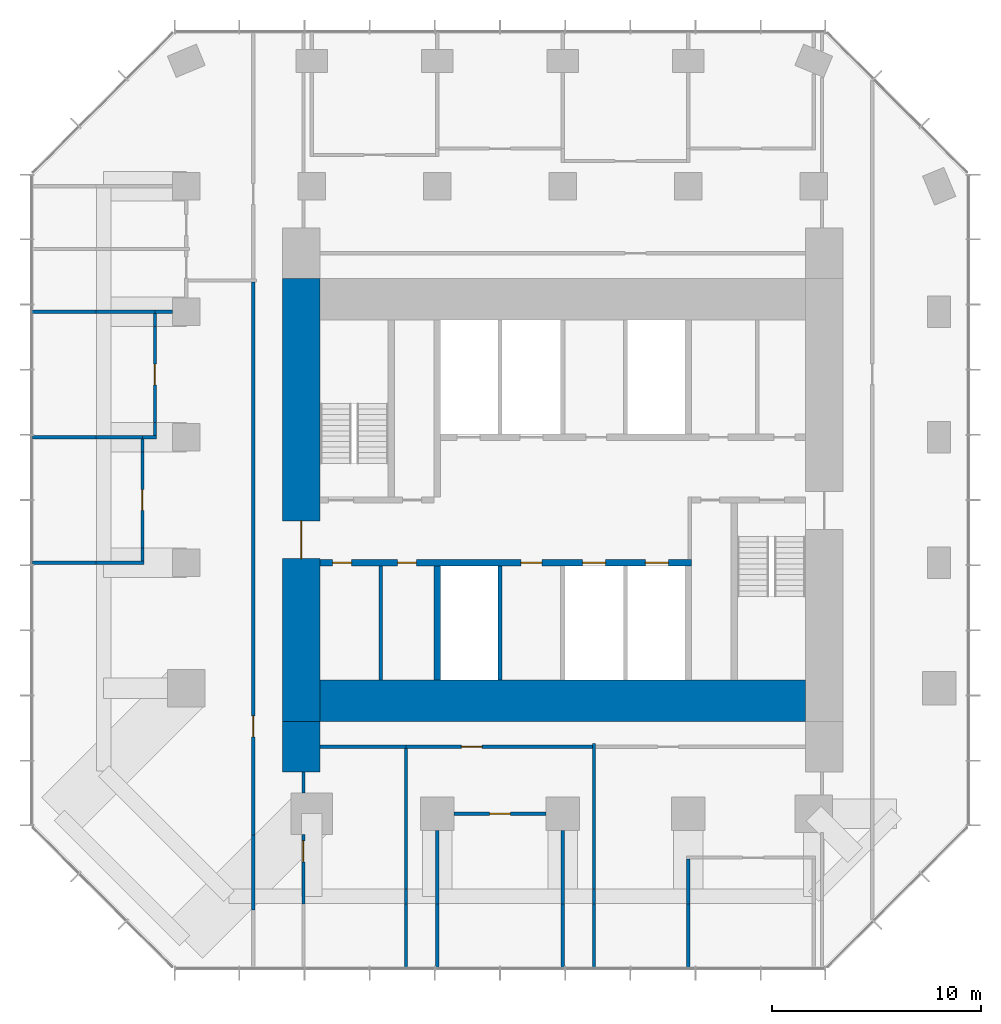
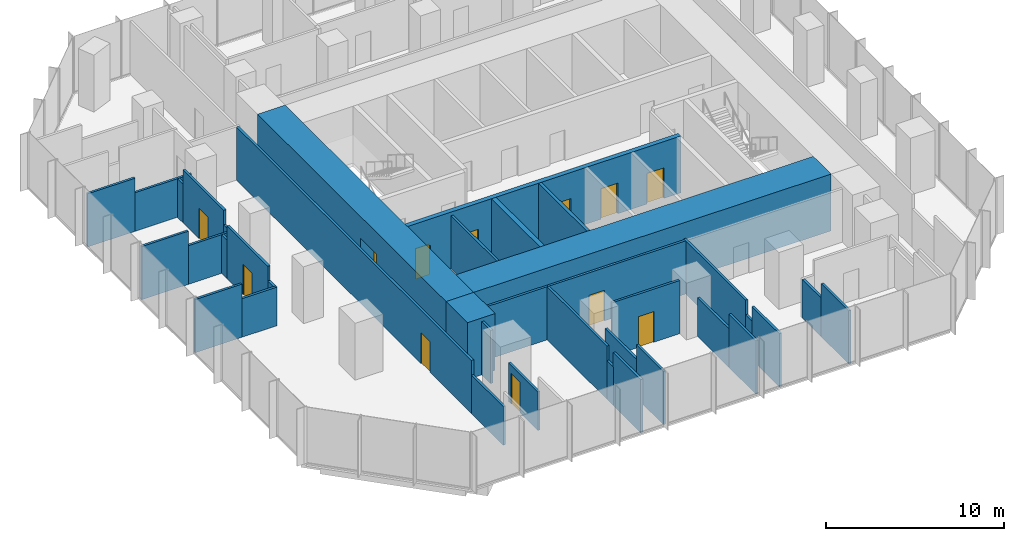
# One storey, part 8 of 11: 40 walls, 12 doors, 12 openings.
"""IFC4 building model written with IfcOpenShell, lengths in metres."""

from ifc_helpers import new_model, si_unit, direction, frame, frame_2d, origin, place, context, subcontext, project, spatial, rectangle, extrude, material, layer, layer_set, type_object, element, fill, save


model = new_model("IFC4")

# Units and contexts
model_context = context("Model", 3, precision=1e-05, world=origin(), true_north=direction((0.0, 1.0)))
body_context = subcontext(model_context, "Body", "Model", "MODEL_VIEW")
ifc_project = project(units=[si_unit("LENGTHUNIT", "METRE"), si_unit("AREAUNIT", "SQUARE_METRE"), si_unit("VOLUMEUNIT", "CUBIC_METRE"), si_unit("PLANEANGLEUNIT", "RADIAN"), si_unit("MASSUNIT", "GRAM", prefix="KILO")], contexts=[model_context])

# Site, building, storey
site_placement = place(None, origin())
site = spatial("IfcSite", under=ifc_project, at=site_placement, CompositionType="ELEMENT")
building_placement = place(site_placement, origin())
building = spatial("IfcBuilding", under=site, at=building_placement, Name="Highveld Stack Headquarters", CompositionType="ELEMENT")
storey_placement = place(building_placement, frame((0.0, 0.0, 216.199951171875)))
storey = spatial("IfcBuildingStorey", under=building, at=storey_placement, Name="L53", CompositionType="ELEMENT", Elevation=216.199951171875)

# Wall, opening, door
ifc_material_1 = material(Name="Concrete C60/75", Category="concrete")
ifc_layer_1 = layer(ifc_material_1, 1.800048828125)
ifc_layer_set_1 = layer_set([ifc_layer_1], Name="Concrete C60/75")
wall_type_1 = type_object("IfcWallType", Name="CORE WALL 1800 C60/75", PredefinedType="SHEAR", material=ifc_layer_set_1)
wall_1_placement = place(storey_placement, frame((-6.5, -7.60009765625, 0.0), z_axis=(0.0, 0.0, 1.0), x_axis=(0.0, 1.0, 0.0)))
wall_1 = element("IfcWall", 1, at=wall_1_placement, inside=storey, type_object=wall_type_1, Name="Core wall W L53", PredefinedType="SHEAR", context=body_context, shape_type="SweptSolid", body=[
    extrude(rectangle(XDim=21.2001953125, YDim=1.800048828125, at=frame_2d((10.60009765625, 0.0))), origin(), (0.0, 0.0, 1.0), 3.900146484375),
])
opening_1_placement = place(wall_1_placement, frame((7.800048828125, 0.0, 0.0)))
opening_1 = element("IfcOpeningElement", 2, at=opening_1_placement, cuts=wall_1, Name="Opening L53-01", PredefinedType="OPENING", context=body_context, shape_type="SweptSolid", body=[
    extrude(rectangle(XDim=1.800048828125, YDim=2.39990234375, at=frame_2d((0.89990234375, 1.199951171875))), frame((0.0, 0.909912109375, 0.0), z_axis=(0.0, -1.0, 0.0), x_axis=(1.0, 0.0, 0.0)), (0.0, 0.0, 1.0), 1.820068359375),
])
ifc_material_2 = material(Name="Steel fire door", Category="steel")
door_type_1 = type_object("IfcDoorType", Name="LOBBY FIRE DOOR D4 1800x2400", OperationType="DOUBLE_DOOR_SINGLE_SWING", PredefinedType="DOOR", material=ifc_material_2)
door_1_placement = place(opening_1_placement, origin())
door_1 = element("IfcDoor", 3, at=door_1_placement, inside=storey, type_object=door_type_1, Name="Core west door L53", OperationType="DOUBLE_DOOR_SINGLE_SWING", OverallHeight=2.39990234375, OverallWidth=1.800048828125, PredefinedType="DOOR", context=body_context, shape_type="SweptSolid", body=[
    extrude(rectangle(XDim=1.800048828125, YDim=2.39990234375, at=frame_2d((0.89990234375, 1.199951171875))), frame((0.0, 0.02490234375, 0.0), z_axis=(0.0, -1.0, 0.0), x_axis=(1.0, 0.0, 0.0)), (0.0, 0.0, 1.0), 0.050048828125),
])
fill(opening_1, door_1)

# Wall
ifc_material_3 = material(Name="Concrete C60/75", Category="concrete")
ifc_layer_2 = layer(ifc_material_3, 2.0)
ifc_layer_set_2 = layer_set([ifc_layer_2], Name="Concrete C60/75")
wall_type_2 = type_object("IfcWallType", Name="CORE WALL 2000 C60/75", PredefinedType="SHEAR", material=ifc_layer_set_2)
wall_2_placement = place(storey_placement, frame((-5.60009765625, -6.60009765625, 0.0), z_axis=(0.0, 0.0, 1.0), x_axis=(1.0, 0.0, 0.0)))
element("IfcWall", 4, at=wall_2_placement, inside=storey, type_object=wall_type_2, Name="Core wall S L53", PredefinedType="SHEAR", context=body_context, shape_type="SweptSolid", body=[
    extrude(rectangle(XDim=23.2001953125, YDim=2.0, at=frame_2d((11.60009765625, 0.0))), origin(), (0.0, 0.0, 1.0), 3.900146484375),
])

# Wall, openings, doors
ifc_material_4 = material(Name="Concrete C60/75", Category="concrete")
ifc_layer_3 = layer(ifc_material_4, 0.300048828125)
ifc_layer_set_3 = layer_set([ifc_layer_3], Name="Concrete C60/75")
wall_type_3 = type_object("IfcWallType", Name="CORE WALL 300 C60/75", PredefinedType="SHEAR", material=ifc_layer_set_3)
wall_3_placement = place(storey_placement, frame((-5.60009765625, 0.0, 0.0), z_axis=(0.0, 0.0, 1.0), x_axis=(1.0, 0.0, 0.0)))
wall_3 = element("IfcWall", 5, at=wall_3_placement, inside=storey, type_object=wall_type_3, Name="Core wall I-Y0 L53", PredefinedType="SHEAR", context=body_context, shape_type="SweptSolid", body=[
    extrude(rectangle(XDim=17.75, YDim=0.300048828125, at=frame_2d((8.875, 0.0))), origin(), (0.0, 0.0, 1.0), 3.900146484375),
])
opening_2_placement = place(wall_3_placement, frame((0.60009765625, 0.0, 0.0)))
opening_2 = element("IfcOpeningElement", 6, at=opening_2_placement, cuts=wall_3, Name="Opening L53-07", PredefinedType="OPENING", context=body_context, shape_type="SweptSolid", body=[
    extrude(rectangle(XDim=0.89990234375, YDim=2.10009765625, at=frame_2d((0.449951171875, 1.050048828125))), frame((0.0, 0.159912109375, 0.0), z_axis=(0.0, -1.0, 0.0), x_axis=(1.0, 0.0, 0.0)), (0.0, 0.0, 1.0), 0.320068359375),
])
opening_3_placement = place(wall_3_placement, frame((3.699951171875, 0.0, 0.0)))
opening_3 = element("IfcOpeningElement", 7, at=opening_3_placement, cuts=wall_3, Name="Opening L53-08", PredefinedType="OPENING", context=body_context, shape_type="SweptSolid", body=[
    extrude(rectangle(XDim=0.89990234375, YDim=2.10009765625, at=frame_2d((0.449951171875, 1.050048828125))), frame((0.0, 0.159912109375, 0.0), z_axis=(0.0, -1.0, 0.0), x_axis=(1.0, 0.0, 0.0)), (0.0, 0.0, 1.0), 0.320068359375),
])
opening_4_placement = place(wall_3_placement, frame((9.60009765625, 0.0, 0.0)))
opening_4 = element("IfcOpeningElement", 8, at=opening_4_placement, cuts=wall_3, Name="Opening L53-12", PredefinedType="OPENING", context=body_context, shape_type="SweptSolid", body=[
    extrude(rectangle(XDim=1.0, YDim=2.10009765625, at=frame_2d((0.5, 1.050048828125))), frame((0.0, 0.159912109375, 0.0), z_axis=(0.0, -1.0, 0.0), x_axis=(1.0, 0.0, 0.0)), (0.0, 0.0, 1.0), 0.320068359375),
])
opening_5_placement = place(wall_3_placement, frame((12.550048828125, 0.0, 0.0)))
opening_5 = element("IfcOpeningElement", 9, at=opening_5_placement, cuts=wall_3, Name="Opening LD", PredefinedType="OPENING", context=body_context, shape_type="SweptSolid", body=[
    extrude(rectangle(XDim=1.10009765625, YDim=2.10009765625, at=frame_2d((0.550048828125, 1.050048828125))), frame((0.0, 0.159912109375, 0.0), z_axis=(0.0, -1.0, 0.0), x_axis=(1.0, 0.0, 0.0)), (0.0, 0.0, 1.0), 0.320068359375),
])
opening_6_placement = place(wall_3_placement, frame((15.550048828125, 0.0, 0.0)))
opening_6 = element("IfcOpeningElement", 10, at=opening_6_placement, cuts=wall_3, Name="Opening LD", PredefinedType="OPENING", context=body_context, shape_type="SweptSolid", body=[
    extrude(rectangle(XDim=1.10009765625, YDim=2.10009765625, at=frame_2d((0.550048828125, 1.050048828125))), frame((0.0, 0.159912109375, 0.0), z_axis=(0.0, -1.0, 0.0), x_axis=(1.0, 0.0, 0.0)), (0.0, 0.0, 1.0), 0.320068359375),
])
ifc_material_5 = material(Name="Steel fire door", Category="steel")
door_type_2 = type_object("IfcDoorType", Name="CORE ROOM FIRE DOOR D14 1000x2100", OperationType="SINGLE_SWING_LEFT", PredefinedType="DOOR", material=ifc_material_5)
door_2_placement = place(opening_4_placement, origin())
door_2 = element("IfcDoor", 11, at=door_2_placement, inside=storey, type_object=door_type_2, Name="Capped B 1 door L53", OperationType="SINGLE_SWING_RIGHT", OverallHeight=2.10009765625, OverallWidth=1.0, PredefinedType="DOOR", context=body_context, shape_type="SweptSolid", body=[
    extrude(rectangle(XDim=1.0, YDim=2.10009765625, at=frame_2d((0.5, 1.050048828125))), frame((0.0, 0.02490234375, 0.0), z_axis=(0.0, -1.0, 0.0), x_axis=(1.0, 0.0, 0.0)), (0.0, 0.0, 1.0), 0.050048828125),
])
fill(opening_4, door_2)
ifc_material_6 = material(Name="Stainless steel lift landing door", Category="steel")
door_type_3 = type_object("IfcDoorType", Name="LIFT LANDING DOOR LD 1100x2100", OperationType="DOUBLE_DOOR_SLIDING", PredefinedType="USERDEFINED", material=ifc_material_6)
door_3_placement = place(opening_5_placement, origin())
door_3 = element("IfcDoor", 12, at=door_3_placement, inside=storey, type_object=door_type_3, Name="Lift landing door C1 L53", ObjectType="LIFT LANDING DOOR", OperationType="DOUBLE_DOOR_SLIDING", OverallHeight=2.10009765625, OverallWidth=1.10009765625, PredefinedType="USERDEFINED", context=body_context, shape_type="SweptSolid", body=[
    extrude(rectangle(XDim=1.10009765625, YDim=2.10009765625, at=frame_2d((0.550048828125, 1.050048828125))), frame((0.0, 0.02490234375, 0.0), z_axis=(0.0, -1.0, 0.0), x_axis=(1.0, 0.0, 0.0)), (0.0, 0.0, 1.0), 0.050048828125),
])
fill(opening_5, door_3)
door_4_placement = place(opening_6_placement, origin())
door_4 = element("IfcDoor", 13, at=door_4_placement, inside=storey, type_object=door_type_3, Name="Lift landing door C2 L53", ObjectType="LIFT LANDING DOOR", OperationType="DOUBLE_DOOR_SLIDING", OverallHeight=2.10009765625, OverallWidth=1.10009765625, PredefinedType="USERDEFINED", context=body_context, shape_type="SweptSolid", body=[
    extrude(rectangle(XDim=1.10009765625, YDim=2.10009765625, at=frame_2d((0.550048828125, 1.050048828125))), frame((0.0, 0.02490234375, 0.0), z_axis=(0.0, -1.0, 0.0), x_axis=(1.0, 0.0, 0.0)), (0.0, 0.0, 1.0), 0.050048828125),
])
fill(opening_6, door_4)
ifc_material_7 = material(Name="Timber door, painted", Category="wood")
door_type_4 = type_object("IfcDoorType", Name="WC DOOR D1 900x2100", OperationType="SINGLE_SWING_LEFT", PredefinedType="DOOR", material=ifc_material_7)
door_5_placement = place(opening_2_placement, origin())
door_5 = element("IfcDoor", 14, at=door_5_placement, inside=storey, type_object=door_type_4, Name="Female WC door L53", OperationType="SINGLE_SWING_LEFT", OverallHeight=2.10009765625, OverallWidth=0.89990234375, PredefinedType="DOOR", context=body_context, shape_type="SweptSolid", body=[
    extrude(rectangle(XDim=0.89990234375, YDim=2.10009765625, at=frame_2d((0.449951171875, 1.050048828125))), frame((0.0, 0.02490234375, 0.0), z_axis=(0.0, -1.0, 0.0), x_axis=(1.0, 0.0, 0.0)), (0.0, 0.0, 1.0), 0.050048828125),
])
fill(opening_2, door_5)
door_6_placement = place(opening_3_placement, origin())
door_6 = element("IfcDoor", 15, at=door_6_placement, inside=storey, type_object=door_type_4, Name="Shower and changing room door L53", OperationType="SINGLE_SWING_LEFT", OverallHeight=2.10009765625, OverallWidth=0.89990234375, PredefinedType="DOOR", context=body_context, shape_type="SweptSolid", body=[
    extrude(rectangle(XDim=0.89990234375, YDim=2.10009765625, at=frame_2d((0.449951171875, 1.050048828125))), frame((0.0, 0.02490234375, 0.0), z_axis=(0.0, -1.0, 0.0), x_axis=(1.0, 0.0, 0.0)), (0.0, 0.0, 1.0), 0.050048828125),
])
fill(opening_3, door_6)

# Walls
wall_4_placement = place(storey_placement, frame((0.0, -5.60009765625, 0.0), z_axis=(0.0, 0.0, 1.0), x_axis=(0.0, 1.0, 0.0)))
element("IfcWall", 16, at=wall_4_placement, inside=storey, type_object=wall_type_3, Name="Core wall I-X0S L53", PredefinedType="SHEAR", context=body_context, shape_type="SweptSolid", body=[
    extrude(rectangle(XDim=5.4501953125, YDim=0.300048828125, at=frame_2d((2.72509765625, 0.0))), origin(), (0.0, 0.0, 1.0), 3.900146484375),
])
ifc_material_8 = material(Name="Concrete C60/75", Category="concrete")
ifc_layer_4 = layer(ifc_material_8, 1.800048828125)
ifc_layer_set_4 = layer_set([ifc_layer_4], Name="Concrete C60/75")
wall_type_4 = type_object("IfcWallType", Name="CORE WING WALL 1800 C60/75", PredefinedType="SHEAR", material=ifc_layer_set_4)
wall_5_placement = place(storey_placement, frame((-6.5, -10.0, 0.0), z_axis=(0.0, 0.0, 1.0), x_axis=(0.0, 1.0, 0.0)))
element("IfcWall", 17, at=wall_5_placement, inside=storey, type_object=wall_type_4, Name="Core wing wall WS L53", PredefinedType="SHEAR", context=body_context, shape_type="SweptSolid", body=[
    extrude(rectangle(XDim=2.39990234375, YDim=1.800048828125, at=frame_2d((1.199951171875, 0.0))), origin(), (0.0, 0.0, 1.0), 3.900146484375),
])
ifc_material_9 = material(Name="Concrete blockwork, fair-faced", Category="masonry")
ifc_layer_5 = layer(ifc_material_9, 0.199951171875)
ifc_layer_set_5 = layer_set([ifc_layer_5], Name="Concrete blockwork, fair-faced")
wall_type_5 = type_object("IfcWallType", Name="LIFT SHAFT ENCLOSURE WALL 200 BLOCKWORK", PredefinedType="SOLIDWALL", material=ifc_layer_set_5)
wall_6_placement = place(storey_placement, frame((3.0, -5.60009765625, 0.0), z_axis=(0.0, 0.0, 1.0), x_axis=(0.0, 1.0, 0.0)))
element("IfcWall", 18, at=wall_6_placement, inside=storey, type_object=wall_type_5, Name="Lift shaft wall L53", PredefinedType="SOLIDWALL", context=body_context, shape_type="SweptSolid", body=[
    extrude(rectangle(XDim=5.4501953125, YDim=0.199951171875, at=frame_2d((2.72509765625, 0.0))), origin(), (0.0, 0.0, 1.0), 3.900146484375),
])

# Wall, opening, door
ifc_material_10 = material(Name="Gypsum plasterboard on steel studs", Category="steel")
ifc_layer_6 = layer(ifc_material_10, 0.14990234375)
ifc_layer_set_6 = layer_set([ifc_layer_6], Name="Gypsum plasterboard on steel studs")
wall_type_6 = type_object("IfcWallType", Name="PARTITION 150 PLASTERBOARD", PredefinedType="PARTITIONING", material=ifc_layer_set_6)
wall_7_placement = place(storey_placement, frame((0.800048828125, -12.0, 0.0), z_axis=(0.0, 0.0, 1.0), x_axis=(1.0, 0.0, 0.0)))
wall_7 = element("IfcWall", 19, at=wall_7_placement, inside=storey, type_object=wall_type_6, Name="Partition Office L53", PredefinedType="PARTITIONING", context=body_context, shape_type="SweptSolid", body=[
    extrude(rectangle(XDim=4.39990234375, YDim=0.14990234375, at=frame_2d((2.199951171875, 0.0))), origin(), (0.0, 0.0, 1.0), 3.650146484375),
])
opening_7_placement = place(wall_7_placement, frame((1.699951171875, 0.0, 0.0)))
opening_7 = element("IfcOpeningElement", 20, at=opening_7_placement, cuts=wall_7, Name="Opening L53-13", PredefinedType="OPENING", context=body_context, shape_type="SweptSolid", body=[
    extrude(rectangle(XDim=1.0, YDim=2.10009765625, at=frame_2d((0.5, 1.050048828125))), frame((0.0, 0.0849609375, 0.0), z_axis=(0.0, -1.0, 0.0), x_axis=(1.0, 0.0, 0.0)), (0.0, 0.0, 1.0), 0.169921875),
])
ifc_material_11 = material(Name="Timber door, oiled ash", Category="wood")
door_type_5 = type_object("IfcDoorType", Name="ROOM DOOR D6 1000x2100", OperationType="SINGLE_SWING_LEFT", PredefinedType="DOOR", material=ifc_material_11)
door_7_placement = place(opening_7_placement, origin())
door_7 = element("IfcDoor", 21, at=door_7_placement, inside=storey, type_object=door_type_5, Name="Office door 1 L53", OperationType="SINGLE_SWING_LEFT", OverallHeight=2.10009765625, OverallWidth=1.0, PredefinedType="DOOR", context=body_context, shape_type="SweptSolid", body=[
    extrude(rectangle(XDim=1.0, YDim=2.10009765625, at=frame_2d((0.5, 1.050048828125))), frame((0.0, 0.02490234375, 0.0), z_axis=(0.0, -1.0, 0.0), x_axis=(1.0, 0.0, 0.0)), (0.0, 0.0, 1.0), 0.050048828125),
])
fill(opening_7, door_7)

# Walls
wall_8_placement = place(storey_placement, frame((-19.35009765625, 0.0, 0.0), z_axis=(0.0, 0.0, 1.0), x_axis=(1.0, 0.0, 0.0)))
element("IfcWall", 22, at=wall_8_placement, inside=storey, type_object=wall_type_6, Name="Partition Focus room L53", PredefinedType="PARTITIONING", context=body_context, shape_type="SweptSolid", body=[
    extrude(rectangle(XDim=3.0400390625, YDim=0.14990234375, at=frame_2d((1.52001953125, 0.0))), origin(), (0.0, 0.0, 1.0), 3.650146484375),
])
wall_9_placement = place(storey_placement, frame((-16.31005859375, 0.0, 0.0), z_axis=(0.0, 0.0, 1.0), x_axis=(1.0, 0.0, 0.0)))
element("IfcWall", 23, at=wall_9_placement, inside=storey, type_object=wall_type_6, Name="Partition Focus room L53", PredefinedType="PARTITIONING", context=body_context, shape_type="SweptSolid", body=[
    extrude(rectangle(XDim=2.28515625, YDim=0.14990234375, at=frame_2d((1.142578125, 0.0))), origin(), (0.0, 0.0, 1.0), 2.650146484375),
])
wall_10_placement = place(storey_placement, frame((-19.35009765625, 6.0, 0.0), z_axis=(0.0, 0.0, 1.0), x_axis=(1.0, 0.0, 0.0)))
element("IfcWall", 24, at=wall_10_placement, inside=storey, type_object=wall_type_6, Name="Partition Focus room / Quiet room L53", PredefinedType="PARTITIONING", context=body_context, shape_type="SweptSolid", body=[
    extrude(rectangle(XDim=3.0400390625, YDim=0.14990234375, at=frame_2d((1.52001953125, 0.0))), origin(), (0.0, 0.0, 1.0), 3.650146484375),
])
wall_11_placement = place(storey_placement, frame((-16.31005859375, 6.0, 0.0), z_axis=(0.0, 0.0, 1.0), x_axis=(1.0, 0.0, 0.0)))
element("IfcWall", 25, at=wall_11_placement, inside=storey, type_object=wall_type_6, Name="Partition Focus room / Quiet room L53", PredefinedType="PARTITIONING", context=body_context, shape_type="SweptSolid", body=[
    extrude(rectangle(XDim=2.28515625, YDim=0.14990234375, at=frame_2d((1.142578125, 0.0))), origin(), (0.0, 0.0, 1.0), 2.650146484375),
])
wall_12_placement = place(storey_placement, frame((-14.10009765625, 6.0, 0.0), z_axis=(0.0, 0.0, 1.0), x_axis=(1.0, 0.0, 0.0)))
element("IfcWall", 26, at=wall_12_placement, inside=storey, type_object=wall_type_6, Name="Partition Quiet room L53", PredefinedType="PARTITIONING", context=body_context, shape_type="SweptSolid", body=[
    extrude(rectangle(XDim=0.675048828125, YDim=0.14990234375, at=frame_2d((0.33740234375, 0.0))), origin(), (0.0, 0.0, 1.0), 2.650146484375),
])
wall_13_placement = place(storey_placement, frame((-19.39990234375, 12.0, 0.0), z_axis=(0.0, 0.0, 1.0), x_axis=(1.0, 0.0, 0.0)))
element("IfcWall", 27, at=wall_13_placement, inside=storey, type_object=wall_type_6, Name="Partition Office / Quiet room L53", PredefinedType="PARTITIONING", context=body_context, shape_type="SweptSolid", body=[
    extrude(rectangle(XDim=3.08984375, YDim=0.14990234375, at=frame_2d((1.544921875, 0.0))), origin(), (0.0, 0.0, 1.0), 3.650146484375),
])
wall_14_placement = place(storey_placement, frame((-16.31005859375, 12.0, 0.0), z_axis=(0.0, 0.0, 1.0), x_axis=(1.0, 0.0, 0.0)))
element("IfcWall", 28, at=wall_14_placement, inside=storey, type_object=wall_type_6, Name="Partition Office / Quiet room L53", PredefinedType="PARTITIONING", context=body_context, shape_type="SweptSolid", body=[
    extrude(rectangle(XDim=2.885009765625, YDim=0.14990234375, at=frame_2d((1.4423828125, 0.0))), origin(), (0.0, 0.0, 1.0), 2.650146484375),
])
wall_15_placement = place(storey_placement, frame((-13.5, 12.0, 0.0), z_axis=(0.0, 0.0, 1.0), x_axis=(1.0, 0.0, 0.0)))
element("IfcWall", 29, at=wall_15_placement, inside=storey, type_object=wall_type_6, Name="Partition Office L53", PredefinedType="PARTITIONING", context=body_context, shape_type="SweptSolid", body=[
    extrude(rectangle(XDim=0.85009765625, YDim=0.14990234375, at=frame_2d((0.425048828125, 0.0))), origin(), (0.0, 0.0, 1.0), 2.650146484375),
])
wall_16_placement = place(storey_placement, frame((-14.10009765625, 0.074951171875, 0.0), z_axis=(0.0, 0.0, 1.0), x_axis=(0.0, 1.0, 0.0)))
element("IfcWall", 30, at=wall_16_placement, inside=storey, type_object=wall_type_6, Name="Partition Focus room L53", PredefinedType="PARTITIONING", context=body_context, shape_type="SweptSolid", body=[
    extrude(rectangle(XDim=0.635009765625, YDim=0.14990234375, at=frame_2d((0.3173828125, 0.0))), origin(), (0.0, 0.0, 1.0), 2.650146484375),
])

# Wall, opening, door
wall_17_placement = place(storey_placement, frame((-14.10009765625, 0.7099609375, 0.0), z_axis=(0.0, 0.0, 1.0), x_axis=(0.0, 1.0, 0.0)))
wall_17 = element("IfcWall", 31, at=wall_17_placement, inside=storey, type_object=wall_type_6, Name="Partition Focus room L53", PredefinedType="PARTITIONING", context=body_context, shape_type="SweptSolid", body=[
    extrude(rectangle(XDim=4.580078125, YDim=0.14990234375, at=frame_2d((2.2900390625, 0.0))), origin(), (0.0, 0.0, 1.0), 3.650146484375),
])
opening_8_placement = place(wall_17_placement, frame((1.7900390625, 0.0, 0.0)))
opening_8 = element("IfcOpeningElement", 32, at=opening_8_placement, cuts=wall_17, Name="Opening L53-15", PredefinedType="OPENING", context=body_context, shape_type="SweptSolid", body=[
    extrude(rectangle(XDim=1.0, YDim=2.10009765625, at=frame_2d((0.5, 1.050048828125))), frame((0.0, 0.0849609375, 0.0), z_axis=(0.0, -1.0, 0.0), x_axis=(1.0, 0.0, 0.0)), (0.0, 0.0, 1.0), 0.169921875),
])
door_8_placement = place(opening_8_placement, origin())
door_8 = element("IfcDoor", 33, at=door_8_placement, inside=storey, type_object=door_type_5, Name="Focus room door 1 L53", OperationType="SINGLE_SWING_LEFT", OverallHeight=2.10009765625, OverallWidth=1.0, PredefinedType="DOOR", context=body_context, shape_type="SweptSolid", body=[
    extrude(rectangle(XDim=1.0, YDim=2.10009765625, at=frame_2d((0.5, 1.050048828125))), frame((0.0, 0.02490234375, 0.0), z_axis=(0.0, -1.0, 0.0), x_axis=(1.0, 0.0, 0.0)), (0.0, 0.0, 1.0), 0.050048828125),
])
fill(opening_8, door_8)

# Walls
for number, where, z_axis, x_axis, name in (
    (34, (-14.10009765625, 5.2900390625, 0.0), (0.0, 0.0, 1.0), (0.0, 1.0, 0.0), "Partition Focus room L53"),
    (35, (-13.5, 6.074951171875, 0.0), (0.0, 0.0, 1.0), (0.0, 1.0, 0.0), "Partition Quiet room L53"),
):
    element("IfcWall", number, at=place(storey_placement, frame(where, z_axis=z_axis, x_axis=x_axis)), inside=storey, type_object=wall_type_6, Name=name, PredefinedType="PARTITIONING", context=body_context, shape_type="SweptSolid", body=[
        extrude(rectangle(XDim=0.635009765625, YDim=0.14990234375, at=frame_2d((0.3173828125, 0.0))), origin(), (0.0, 0.0, 1.0), 2.650146484375),
    ])

# Wall, opening, door
wall_18_placement = place(storey_placement, frame((-13.5, 6.7099609375, 0.0), z_axis=(0.0, 0.0, 1.0), x_axis=(0.0, 1.0, 0.0)))
wall_18 = element("IfcWall", 36, at=wall_18_placement, inside=storey, type_object=wall_type_6, Name="Partition Quiet room L53", PredefinedType="PARTITIONING", context=body_context, shape_type="SweptSolid", body=[
    extrude(rectangle(XDim=4.580078125, YDim=0.14990234375, at=frame_2d((2.2900390625, 0.0))), origin(), (0.0, 0.0, 1.0), 3.650146484375),
])
opening_9_placement = place(wall_18_placement, frame((1.7900390625, 0.0, 0.0)))
opening_9 = element("IfcOpeningElement", 37, at=opening_9_placement, cuts=wall_18, Name="Opening L53-16", PredefinedType="OPENING", context=body_context, shape_type="SweptSolid", body=[
    extrude(rectangle(XDim=1.0, YDim=2.10009765625, at=frame_2d((0.5, 1.050048828125))), frame((0.0, 0.0849609375, 0.0), z_axis=(0.0, -1.0, 0.0), x_axis=(1.0, 0.0, 0.0)), (0.0, 0.0, 1.0), 0.169921875),
])
door_9_placement = place(opening_9_placement, origin())
door_9 = element("IfcDoor", 38, at=door_9_placement, inside=storey, type_object=door_type_5, Name="Quiet room door 1 L53", OperationType="SINGLE_SWING_RIGHT", OverallHeight=2.10009765625, OverallWidth=1.0, PredefinedType="DOOR", context=body_context, shape_type="SweptSolid", body=[
    extrude(rectangle(XDim=1.0, YDim=2.10009765625, at=frame_2d((0.5, 1.050048828125))), frame((0.0, 0.02490234375, 0.0), z_axis=(0.0, -1.0, 0.0), x_axis=(1.0, 0.0, 0.0)), (0.0, 0.0, 1.0), 0.050048828125),
])
fill(opening_9, door_9)

# Walls
wall_19_placement = place(storey_placement, frame((-13.5, 11.2900390625, 0.0), z_axis=(0.0, 0.0, 1.0), x_axis=(0.0, 1.0, 0.0)))
element("IfcWall", 39, at=wall_19_placement, inside=storey, type_object=wall_type_6, Name="Partition Quiet room L53", PredefinedType="PARTITIONING", context=body_context, shape_type="SweptSolid", body=[
    extrude(rectangle(XDim=0.635009765625, YDim=0.14990234375, at=frame_2d((0.3173828125, 0.0))), origin(), (0.0, 0.0, 1.0), 2.650146484375),
])
wall_20_placement = place(storey_placement, frame((0.0, -19.35009765625, 0.0), z_axis=(0.0, 0.0, 1.0), x_axis=(0.0, 1.0, 0.0)))
element("IfcWall", 40, at=wall_20_placement, inside=storey, type_object=wall_type_6, Name="Partition Office L53", PredefinedType="PARTITIONING", context=body_context, shape_type="SweptSolid", body=[
    extrude(rectangle(XDim=3.0400390625, YDim=0.14990234375, at=frame_2d((1.52001953125, 0.0))), origin(), (0.0, 0.0, 1.0), 3.650146484375),
])
wall_21_placement = place(storey_placement, frame((0.0, -16.31005859375, 0.0), z_axis=(0.0, 0.0, 1.0), x_axis=(0.0, 1.0, 0.0)))
element("IfcWall", 41, at=wall_21_placement, inside=storey, type_object=wall_type_6, Name="Partition Office L53", PredefinedType="PARTITIONING", context=body_context, shape_type="SweptSolid", body=[
    extrude(rectangle(XDim=3.510009765625, YDim=0.14990234375, at=frame_2d((1.7548828125, 0.0))), origin(), (0.0, 0.0, 1.0), 2.650146484375),
])
wall_22_placement = place(storey_placement, frame((6.0, -19.35009765625, 0.0), z_axis=(0.0, 0.0, 1.0), x_axis=(0.0, 1.0, 0.0)))
element("IfcWall", 42, at=wall_22_placement, inside=storey, type_object=wall_type_6, Name="Partition Office L53", PredefinedType="PARTITIONING", context=body_context, shape_type="SweptSolid", body=[
    extrude(rectangle(XDim=3.0400390625, YDim=0.14990234375, at=frame_2d((1.52001953125, 0.0))), origin(), (0.0, 0.0, 1.0), 3.650146484375),
])
wall_23_placement = place(storey_placement, frame((6.0, -16.31005859375, 0.0), z_axis=(0.0, 0.0, 1.0), x_axis=(0.0, 1.0, 0.0)))
element("IfcWall", 43, at=wall_23_placement, inside=storey, type_object=wall_type_6, Name="Partition Office L53", PredefinedType="PARTITIONING", context=body_context, shape_type="SweptSolid", body=[
    extrude(rectangle(XDim=3.510009765625, YDim=0.14990234375, at=frame_2d((1.7548828125, 0.0))), origin(), (0.0, 0.0, 1.0), 2.650146484375),
])
wall_24_placement = place(storey_placement, frame((12.0, -19.39990234375, 0.0), z_axis=(0.0, 0.0, 1.0), x_axis=(0.0, 1.0, 0.0)))
element("IfcWall", 44, at=wall_24_placement, inside=storey, type_object=wall_type_6, Name="Partition Focus room L53", PredefinedType="PARTITIONING", context=body_context, shape_type="SweptSolid", body=[
    extrude(rectangle(XDim=3.08984375, YDim=0.14990234375, at=frame_2d((1.544921875, 0.0))), origin(), (0.0, 0.0, 1.0), 3.650146484375),
])
wall_25_placement = place(storey_placement, frame((12.0, -16.31005859375, 0.0), z_axis=(0.0, 0.0, 1.0), x_axis=(0.0, 1.0, 0.0)))
element("IfcWall", 45, at=wall_25_placement, inside=storey, type_object=wall_type_6, Name="Partition Focus room L53", PredefinedType="PARTITIONING", context=body_context, shape_type="SweptSolid", body=[
    extrude(rectangle(XDim=2.135009765625, YDim=0.14990234375, at=frame_2d((1.0673828125, 0.0))), origin(), (0.0, 0.0, 1.0), 2.650146484375),
])
wall_26_placement = place(storey_placement, frame((-8.800048828125, -16.592041015625, 0.0), z_axis=(0.0, 0.0, 1.0), x_axis=(0.0, 1.0, 0.0)))
element("IfcWall", 46, at=wall_26_placement, inside=storey, type_object=wall_type_6, Name="Partition office neighbourhood L53", PredefinedType="PARTITIONING", context=body_context, shape_type="SweptSolid", body=[
    extrude(rectangle(XDim=3.584228515625, YDim=0.14990234375, at=frame_2d((1.7919921875, 0.0))), origin(), (0.0, 0.0, 1.0), 2.650146484375),
])

# Wall, opening, door
wall_27_placement = place(storey_placement, frame((-8.800048828125, -13.0078125, 0.0), z_axis=(0.0, 0.0, 1.0), x_axis=(0.0, 1.0, 0.0)))
wall_27 = element("IfcWall", 47, at=wall_27_placement, inside=storey, type_object=wall_type_6, Name="Partition office neighbourhood L53", PredefinedType="PARTITIONING", context=body_context, shape_type="SweptSolid", body=[
    extrude(rectangle(XDim=26.432861328125, YDim=0.14990234375, at=frame_2d((13.21630859375, 0.0))), origin(), (0.0, 0.0, 1.0), 3.650146484375),
])
opening_10_placement = place(wall_27_placement, frame((4.68798828125, 0.0, 0.0)))
opening_10 = element("IfcOpeningElement", 48, at=opening_10_placement, cuts=wall_27, Name="Opening L53-26", PredefinedType="OPENING", context=body_context, shape_type="SweptSolid", body=[
    extrude(rectangle(XDim=1.0, YDim=2.10009765625, at=frame_2d((0.5, 1.050048828125))), frame((0.0, 0.0849609375, 0.0), z_axis=(0.0, -1.0, 0.0), x_axis=(1.0, 0.0, 0.0)), (0.0, 0.0, 1.0), 0.169921875),
])
door_10_placement = place(opening_10_placement, origin())
door_10 = element("IfcDoor", 49, at=door_10_placement, inside=storey, type_object=door_type_5, Name="Office neighbourhood door L53", OperationType="SINGLE_SWING_LEFT", OverallHeight=2.10009765625, OverallWidth=1.0, PredefinedType="DOOR", context=body_context, shape_type="SweptSolid", body=[
    extrude(rectangle(XDim=1.0, YDim=2.10009765625, at=frame_2d((0.5, 1.050048828125))), frame((0.0, 0.02490234375, 0.0), z_axis=(0.0, -1.0, 0.0), x_axis=(1.0, 0.0, 0.0)), (0.0, 0.0, 1.0), 0.050048828125),
])
fill(opening_10, door_10)

wall_28_placement = place(storey_placement, frame((-6.39990234375, -16.31005859375, 0.0), z_axis=(0.0, 0.0, 1.0), x_axis=(0.0, 1.0, 0.0)))
wall_28 = element("IfcWall", 50, at=wall_28_placement, inside=storey, type_object=wall_type_6, Name="Partition office neighbourhood L53", PredefinedType="PARTITIONING", context=body_context, shape_type="SweptSolid", body=[
    extrude(rectangle(XDim=3.31005859375, YDim=0.14990234375, at=frame_2d((1.655029296875, 0.0))), origin(), (0.0, 0.0, 1.0), 2.650146484375),
])
opening_11_placement = place(wall_28_placement, frame((2.010009765625, 0.0, 0.0)))
opening_11 = element("IfcOpeningElement", 51, at=opening_11_placement, cuts=wall_28, Name="Opening L53-23", PredefinedType="OPENING", context=body_context, shape_type="SweptSolid", body=[
    extrude(rectangle(XDim=1.0, YDim=2.10009765625, at=frame_2d((0.5, 1.050048828125))), frame((0.0, 0.0849609375, 0.0), z_axis=(0.0, -1.0, 0.0), x_axis=(1.0, 0.0, 0.0)), (0.0, 0.0, 1.0), 0.169921875),
])
door_11_placement = place(opening_11_placement, origin())
door_11 = element("IfcDoor", 52, at=door_11_placement, inside=storey, type_object=door_type_5, Name="Office neighbourhood door L53", OperationType="SINGLE_SWING_RIGHT", OverallHeight=2.10009765625, OverallWidth=1.0, PredefinedType="DOOR", context=body_context, shape_type="SweptSolid", body=[
    extrude(rectangle(XDim=1.0, YDim=2.10009765625, at=frame_2d((0.5, 1.050048828125))), frame((0.0, 0.02490234375, 0.0), z_axis=(0.0, -1.0, 0.0), x_axis=(1.0, 0.0, 0.0)), (0.0, 0.0, 1.0), 0.050048828125),
])
fill(opening_11, door_11)

# Walls
wall_29_placement = place(storey_placement, frame((-6.39990234375, -11.0, 0.0), z_axis=(0.0, 0.0, 1.0), x_axis=(0.0, 1.0, 0.0)))
element("IfcWall", 53, at=wall_29_placement, inside=storey, type_object=wall_type_6, Name="Partition office neighbourhood L53", PredefinedType="PARTITIONING", context=body_context, shape_type="SweptSolid", body=[
    extrude(rectangle(XDim=1.0, YDim=0.14990234375, at=frame_2d((0.5, 0.0))), origin(), (0.0, 0.0, 1.0), 3.650146484375),
])
wall_30_placement = place(storey_placement, frame((-5.60009765625, -8.800048828125, 0.0), z_axis=(0.0, 0.0, 1.0), x_axis=(1.0, 0.0, 0.0)))
element("IfcWall", 54, at=wall_30_placement, inside=storey, type_object=wall_type_6, Name="Partition office neighbourhood L53", PredefinedType="PARTITIONING", context=body_context, shape_type="SweptSolid", body=[
    extrude(rectangle(XDim=4.10009765625, YDim=0.14990234375, at=frame_2d((2.050048828125, 0.0))), origin(), (0.0, 0.0, 1.0), 3.650146484375),
])
wall_31_placement = place(storey_placement, frame((-1.5, -19.39990234375, 0.0), z_axis=(0.0, 0.0, 1.0), x_axis=(0.0, 1.0, 0.0)))
element("IfcWall", 55, at=wall_31_placement, inside=storey, type_object=wall_type_6, Name="Partition office neighbourhood L53", PredefinedType="PARTITIONING", context=body_context, shape_type="SweptSolid", body=[
    extrude(rectangle(XDim=3.08984375, YDim=0.14990234375, at=frame_2d((1.544921875, 0.0))), origin(), (0.0, 0.0, 1.0), 3.650146484375),
])
wall_32_placement = place(storey_placement, frame((-1.5, -16.31005859375, 0.0), z_axis=(0.0, 0.0, 1.0), x_axis=(0.0, 1.0, 0.0)))
element("IfcWall", 56, at=wall_32_placement, inside=storey, type_object=wall_type_6, Name="Partition office neighbourhood L53", PredefinedType="PARTITIONING", context=body_context, shape_type="SweptSolid", body=[
    extrude(rectangle(XDim=0.719970703125, YDim=0.14990234375, at=frame_2d((0.35986328125, 0.0))), origin(), (0.0, 0.0, 1.0), 2.650146484375),
])
wall_33_placement = place(storey_placement, frame((-1.5, -15.590087890625, 0.0), z_axis=(0.0, 0.0, 1.0), x_axis=(0.0, 1.0, 0.0)))
element("IfcWall", 57, at=wall_33_placement, inside=storey, type_object=wall_type_6, Name="Partition office neighbourhood L53", PredefinedType="PARTITIONING", context=body_context, shape_type="SweptSolid", body=[
    extrude(rectangle(XDim=6.715087890625, YDim=0.14990234375, at=frame_2d((3.357421875, 0.0))), origin(), (0.0, 0.0, 1.0), 3.650146484375),
])

# Wall, opening, door
wall_34_placement = place(storey_placement, frame((-1.5, -8.800048828125, 0.0), z_axis=(0.0, 0.0, 1.0), x_axis=(1.0, 0.0, 0.0)))
wall_34 = element("IfcWall", 58, at=wall_34_placement, inside=storey, type_object=wall_type_6, Name="Partition office neighbourhood L53", PredefinedType="PARTITIONING", context=body_context, shape_type="SweptSolid", body=[
    extrude(rectangle(XDim=8.925048828125, YDim=0.14990234375, at=frame_2d((4.46240234375, 0.0))), origin(), (0.0, 0.0, 1.0), 3.650146484375),
])
opening_12_placement = place(wall_34_placement, frame((2.64990234375, 0.0, 0.0)))
opening_12 = element("IfcOpeningElement", 59, at=opening_12_placement, cuts=wall_34, Name="Opening L53-25", PredefinedType="OPENING", context=body_context, shape_type="SweptSolid", body=[
    extrude(rectangle(XDim=1.0, YDim=2.10009765625, at=frame_2d((0.5, 1.050048828125))), frame((0.0, 0.0849609375, 0.0), z_axis=(0.0, -1.0, 0.0), x_axis=(1.0, 0.0, 0.0)), (0.0, 0.0, 1.0), 0.169921875),
])
door_12_placement = place(opening_12_placement, origin())
door_12 = element("IfcDoor", 60, at=door_12_placement, inside=storey, type_object=door_type_5, Name="Office neighbourhood door L53", OperationType="SINGLE_SWING_LEFT", OverallHeight=2.10009765625, OverallWidth=1.0, PredefinedType="DOOR", context=body_context, shape_type="SweptSolid", body=[
    extrude(rectangle(XDim=1.0, YDim=2.10009765625, at=frame_2d((0.5, 1.050048828125))), frame((0.0, 0.02490234375, 0.0), z_axis=(0.0, -1.0, 0.0), x_axis=(1.0, 0.0, 0.0)), (0.0, 0.0, 1.0), 0.050048828125),
])
fill(opening_12, door_12)

# Walls
wall_35_placement = place(storey_placement, frame((7.5, -19.39990234375, 0.0), z_axis=(0.0, 0.0, 1.0), x_axis=(0.0, 1.0, 0.0)))
element("IfcWall", 61, at=wall_35_placement, inside=storey, type_object=wall_type_6, Name="Partition office neighbourhood L53", PredefinedType="PARTITIONING", context=body_context, shape_type="SweptSolid", body=[
    extrude(rectangle(XDim=3.08984375, YDim=0.14990234375, at=frame_2d((1.544921875, 0.0))), origin(), (0.0, 0.0, 1.0), 3.650146484375),
])
wall_36_placement = place(storey_placement, frame((7.5, -16.31005859375, 0.0), z_axis=(0.0, 0.0, 1.0), x_axis=(0.0, 1.0, 0.0)))
element("IfcWall", 62, at=wall_36_placement, inside=storey, type_object=wall_type_6, Name="Partition office neighbourhood L53", PredefinedType="PARTITIONING", context=body_context, shape_type="SweptSolid", body=[
    extrude(rectangle(XDim=0.719970703125, YDim=0.14990234375, at=frame_2d((0.35986328125, 0.0))), origin(), (0.0, 0.0, 1.0), 2.650146484375),
])
wall_37_placement = place(storey_placement, frame((7.5, -15.590087890625, 0.0), z_axis=(0.0, 0.0, 1.0), x_axis=(0.0, 1.0, 0.0)))
element("IfcWall", 63, at=wall_37_placement, inside=storey, type_object=wall_type_6, Name="Partition office neighbourhood L53", PredefinedType="PARTITIONING", context=body_context, shape_type="SweptSolid", body=[
    extrude(rectangle(XDim=6.940185546875, YDim=0.14990234375, at=frame_2d((3.47021484375, 0.0))), origin(), (0.0, 0.0, 1.0), 3.650146484375),
])
ifc_material_12 = material(Name="Concrete blockwork, tiled", Category="masonry")
ifc_layer_7 = layer(ifc_material_12, 0.14990234375)
ifc_layer_set_7 = layer_set([ifc_layer_7], Name="Concrete blockwork, tiled")
wall_type_7 = type_object("IfcWallType", Name="WC PARTITION 150", PredefinedType="PLUMBINGWALL", material=ifc_layer_set_7)
wall_38_placement = place(storey_placement, frame((-2.699951171875, -5.60009765625, 0.0), z_axis=(0.0, 0.0, 1.0), x_axis=(0.0, 1.0, 0.0)))
element("IfcWall", 64, at=wall_38_placement, inside=storey, type_object=wall_type_7, Name="Toilet partition L53", PredefinedType="PLUMBINGWALL", context=body_context, shape_type="SweptSolid", body=[
    extrude(rectangle(XDim=5.4501953125, YDim=0.14990234375, at=frame_2d((2.72509765625, 0.0))), origin(), (0.0, 0.0, 1.0), 3.650146484375),
])

save(model, "model.ifc")
